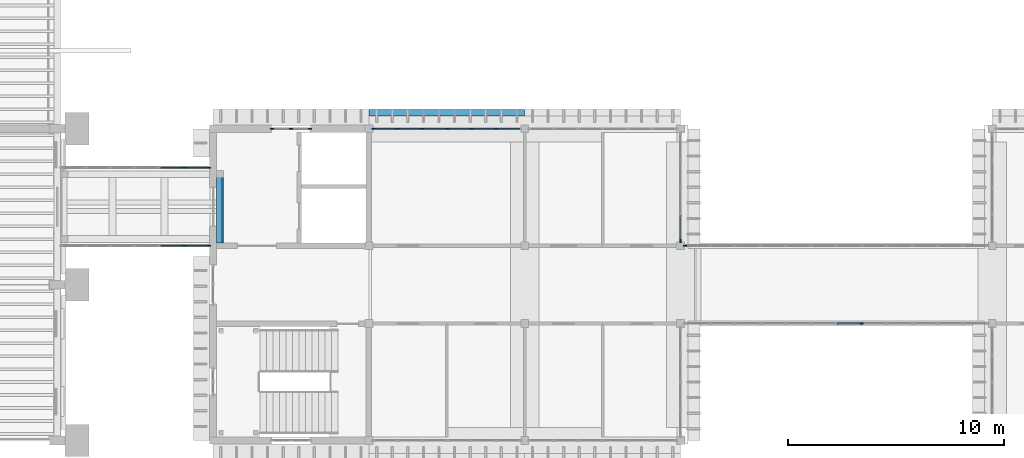
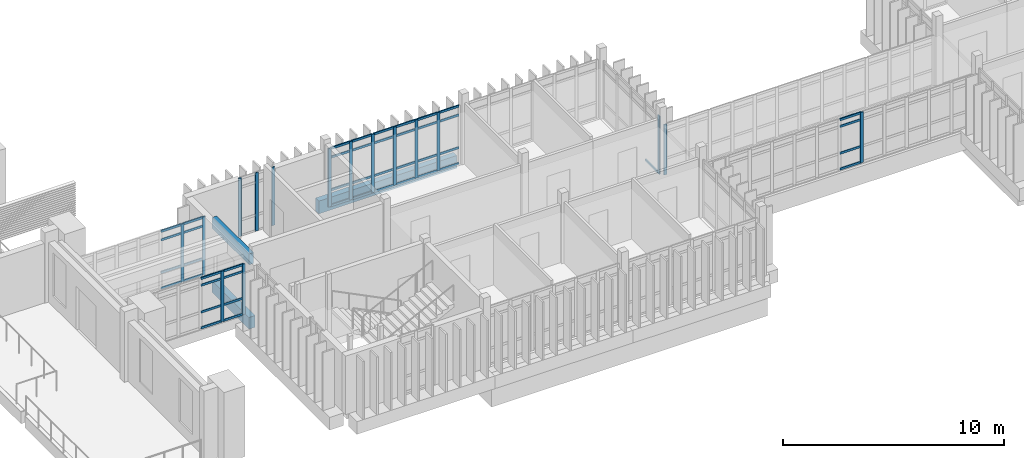
# One storey, part 13 of 69: 62 members, 2 beams, 7 elements without a shape of their own.
"""IFC4 building model written with IfcOpenShell, lengths in metres."""

from ifc_helpers import new_model, si_unit, direction, frame, origin, origin_2d, place, context, subcontext, project, spatial, rectangle, extrude, material, layer, layer_set, material_profile, profile_set, type_object, element, aggregate, save


model = new_model("IFC4")

# Units and contexts
model_context = context("Model", 3, precision=1e-05, world=origin(), true_north=direction((0.0, 1.0)))
body_context = subcontext(model_context, "Body", "Model", "MODEL_VIEW")
ifc_project = project(units=[si_unit("LENGTHUNIT", "METRE"), si_unit("AREAUNIT", "SQUARE_METRE"), si_unit("VOLUMEUNIT", "CUBIC_METRE"), si_unit("PLANEANGLEUNIT", "RADIAN"), si_unit("MASSUNIT", "GRAM", prefix="KILO")], contexts=[model_context])

# Site, building, storey
site_placement = place(None, origin())
site = spatial("IfcSite", under=ifc_project, at=site_placement, CompositionType="ELEMENT")
building_placement = place(site_placement, origin())
building = spatial("IfcBuilding", under=site, at=building_placement, Name="Mazhai Court Health Centre", CompositionType="ELEMENT")
storey_placement = place(building_placement, frame((0.0, 0.0, 6.300048828125)))
storey = spatial("IfcBuildingStorey", under=building, at=storey_placement, Name="L01", CompositionType="ELEMENT", Elevation=6.300048828125)

# Curtain wall, members
ifc_material_1 = material(Name="Teak timber frame, glazed", Category="wood")
ifc_layer_1 = layer(ifc_material_1, 0.10009765625)
ifc_layer_set_1 = layer_set([ifc_layer_1], Name="CURTAIN WALL TIMBER 900")
curtain_wall_type_1 = type_object("IfcCurtainWallType", Name="CURTAIN WALL TIMBER 900", PredefinedType="NOTDEFINED", material=ifc_layer_set_1)
curtain_wall_1_placement = place(storey_placement, origin())
curtain_wall_1 = element("IfcCurtainWall", 1, at=curtain_wall_1_placement, inside=storey, type_object=curtain_wall_type_1, Name="CW-V4-L01-B0", PredefinedType="NOTDEFINED")
ifc_material_2 = material(Name="Teak timber", Category="wood")
ifc_material_profile_1 = material_profile(ifc_material_2, rectangle(XDim=0.06005859375, YDim=0.159912109375, at=origin_2d()), Name="CW MULLION 60x160")
ifc_profile_set_1 = profile_set([ifc_material_profile_1], Name="Teak timber")
member_type_1 = type_object("IfcMemberType", Name="CW MULLION 60x160", PredefinedType="MULLION", material=ifc_profile_set_1)
member_1_placement = place(storey_placement, frame((73.72998046875, 27.800048828125, 0.0), z_axis=(0.0, 0.0, 1.0), x_axis=(0.0, 1.0, 0.0)))
member_1 = element("IfcMember", 2, at=member_1_placement, type_object=member_type_1, Name="CW mullion 1", PredefinedType="MULLION", context=body_context, shape_type="SweptSolid", body=[
    extrude(rectangle(XDim=0.06005859375, YDim=0.159912109375, at=origin_2d()), origin(), (0.0, 0.0, 1.0), 3.219970703125),
])
member_2_placement = place(storey_placement, frame((74.60009765625, 27.800048828125, 0.0), z_axis=(0.0, 0.0, 1.0), x_axis=(0.0, 1.0, 0.0)))
member_2 = element("IfcMember", 3, at=member_2_placement, type_object=member_type_1, Name="CW mullion 2", PredefinedType="MULLION", context=body_context, shape_type="SweptSolid", body=[
    extrude(rectangle(XDim=0.06005859375, YDim=0.159912109375, at=origin_2d()), origin(), (0.0, 0.0, 1.0), 3.219970703125),
])
member_3_placement = place(storey_placement, frame((75.469970703125, 27.800048828125, 0.0), z_axis=(0.0, 0.0, 1.0), x_axis=(0.0, 1.0, 0.0)))
member_3 = element("IfcMember", 4, at=member_3_placement, type_object=member_type_1, Name="CW mullion 3", PredefinedType="MULLION", context=body_context, shape_type="SweptSolid", body=[
    extrude(rectangle(XDim=0.06005859375, YDim=0.159912109375, at=origin_2d()), origin(), (0.0, 0.0, 1.0), 3.219970703125),
])
aggregate(curtain_wall_1, [member_1, member_2, member_3])

ifc_material_3 = material(Name="Teak timber frame, glazed", Category="wood")
ifc_layer_2 = layer(ifc_material_3, 0.10009765625)
ifc_layer_set_2 = layer_set([ifc_layer_2], Name="CURTAIN WALL TIMBER 1200")
curtain_wall_type_2 = type_object("IfcCurtainWallType", Name="CURTAIN WALL TIMBER 1200", PredefinedType="NOTDEFINED", material=ifc_layer_set_2)
curtain_wall_2_placement = place(storey_placement, origin())
curtain_wall_2 = element("IfcCurtainWall", 5, at=curtain_wall_2_placement, inside=storey, type_object=curtain_wall_type_2, Name="CW-V4-L01-B1", PredefinedType="NOTDEFINED")
member_4_placement = place(storey_placement, frame((78.409912109375, 27.800048828125, 0.0), z_axis=(0.0, 0.0, 1.0), x_axis=(0.0, 1.0, 0.0)))
member_4 = element("IfcMember", 6, at=member_4_placement, type_object=member_type_1, Name="CW mullion 1", PredefinedType="MULLION", context=body_context, shape_type="SweptSolid", body=[
    extrude(rectangle(XDim=0.06005859375, YDim=0.159912109375, at=origin_2d()), origin(), (0.0, 0.0, 1.0), 3.219970703125),
])
member_5_placement = place(storey_placement, frame((79.52001953125, 27.800048828125, 0.0), z_axis=(0.0, 0.0, 1.0), x_axis=(0.0, 1.0, 0.0)))
member_5 = element("IfcMember", 7, at=member_5_placement, type_object=member_type_1, Name="CW mullion 2", PredefinedType="MULLION", context=body_context, shape_type="SweptSolid", body=[
    extrude(rectangle(XDim=0.06005859375, YDim=0.159912109375, at=origin_2d()), origin(), (0.0, 0.0, 1.0), 3.219970703125),
])
member_6_placement = place(storey_placement, frame((80.659912109375, 27.800048828125, 0.0), z_axis=(0.0, 0.0, 1.0), x_axis=(0.0, 1.0, 0.0)))
member_6 = element("IfcMember", 8, at=member_6_placement, type_object=member_type_1, Name="CW mullion 3", PredefinedType="MULLION", context=body_context, shape_type="SweptSolid", body=[
    extrude(rectangle(XDim=0.06005859375, YDim=0.159912109375, at=origin_2d()), origin(), (0.0, 0.0, 1.0), 3.219970703125),
])
member_7_placement = place(storey_placement, frame((81.800048828125, 27.800048828125, 0.0), z_axis=(0.0, 0.0, 1.0), x_axis=(0.0, 1.0, 0.0)))
member_7 = element("IfcMember", 9, at=member_7_placement, type_object=member_type_1, Name="CW mullion 4", PredefinedType="MULLION", context=body_context, shape_type="SweptSolid", body=[
    extrude(rectangle(XDim=0.06005859375, YDim=0.159912109375, at=origin_2d()), origin(), (0.0, 0.0, 1.0), 3.219970703125),
])
member_8_placement = place(storey_placement, frame((82.93994140625, 27.800048828125, 0.0), z_axis=(0.0, 0.0, 1.0), x_axis=(0.0, 1.0, 0.0)))
member_8 = element("IfcMember", 10, at=member_8_placement, type_object=member_type_1, Name="CW mullion 5", PredefinedType="MULLION", context=body_context, shape_type="SweptSolid", body=[
    extrude(rectangle(XDim=0.06005859375, YDim=0.159912109375, at=origin_2d()), origin(), (0.0, 0.0, 1.0), 3.219970703125),
])
member_9_placement = place(storey_placement, frame((84.080078125, 27.800048828125, 0.0), z_axis=(0.0, 0.0, 1.0), x_axis=(0.0, 1.0, 0.0)))
member_9 = element("IfcMember", 11, at=member_9_placement, type_object=member_type_1, Name="CW mullion 6", PredefinedType="MULLION", context=body_context, shape_type="SweptSolid", body=[
    extrude(rectangle(XDim=0.06005859375, YDim=0.159912109375, at=origin_2d()), origin(), (0.0, 0.0, 1.0), 3.219970703125),
])

# Curtain wall, member
curtain_wall_3_placement = place(storey_placement, origin())
curtain_wall_3 = element("IfcCurtainWall", 12, at=curtain_wall_3_placement, inside=storey, type_object=curtain_wall_type_2, Name="CW-V4-L01-CE2-1", PredefinedType="NOTDEFINED")
member_10_placement = place(storey_placement, frame((92.60009765625, 22.610107421875, 0.0), z_axis=(0.0, 0.0, 1.0), x_axis=(1.0, 0.0, 0.0)))
member_10 = element("IfcMember", 13, at=member_10_placement, type_object=member_type_1, Name="CW mullion 5", PredefinedType="MULLION", context=body_context, shape_type="SweptSolid", body=[
    extrude(rectangle(XDim=0.06005859375, YDim=0.159912109375, at=origin_2d()), origin(), (0.0, 0.0, 1.0), 3.199951171875),
])

curtain_wall_4_placement = place(storey_placement, origin())
curtain_wall_4 = element("IfcCurtainWall", 14, at=curtain_wall_4_placement, inside=storey, type_object=curtain_wall_type_2, Name="CW-BR-LC1-S", PredefinedType="NOTDEFINED")
member_11_placement = place(storey_placement, frame((100.969970703125, 18.800048828125, 0.0), z_axis=(0.0, 0.0, 1.0), x_axis=(0.0, 1.0, 0.0)))
member_11 = element("IfcMember", 15, at=member_11_placement, type_object=member_type_1, Name="CW mullion 8", PredefinedType="MULLION", context=body_context, shape_type="SweptSolid", body=[
    extrude(rectangle(XDim=0.06005859375, YDim=0.159912109375, at=origin_2d()), origin(), (0.0, 0.0, 1.0), 2.780029296875),
])

curtain_wall_5_placement = place(storey_placement, origin())
curtain_wall_5 = element("IfcCurtainWall", 16, at=curtain_wall_5_placement, inside=storey, type_object=curtain_wall_type_2, Name="CW-BR-LC1-N", PredefinedType="NOTDEFINED")
member_12_placement = place(storey_placement, frame((92.81005859375, 22.39990234375, 0.0), z_axis=(0.0, 0.0, 1.0), x_axis=(0.0, 1.0, 0.0)))
member_12 = element("IfcMember", 17, at=member_12_placement, type_object=member_type_1, Name="CW mullion 1", PredefinedType="MULLION", context=body_context, shape_type="SweptSolid", body=[
    extrude(rectangle(XDim=0.06005859375, YDim=0.159912109375, at=origin_2d()), origin(), (0.0, 0.0, 1.0), 2.780029296875),
])
aggregate(curtain_wall_5, [member_12])

# Curtain wall, members
curtain_wall_6_placement = place(storey_placement, origin())
curtain_wall_6 = element("IfcCurtainWall", 18, at=curtain_wall_6_placement, inside=storey, type_object=curtain_wall_type_2, Name="CW-BR-P2-S", PredefinedType="NOTDEFINED")
member_13_placement = place(storey_placement, frame((69.68994140625, 22.39990234375, 0.0), z_axis=(0.0, 0.0, 1.0), x_axis=(0.0, 1.0, 0.0)))
member_13 = element("IfcMember", 19, at=member_13_placement, type_object=member_type_1, Name="CW mullion 6", PredefinedType="MULLION", context=body_context, shape_type="SweptSolid", body=[
    extrude(rectangle(XDim=0.06005859375, YDim=0.159912109375, at=origin_2d()), origin(), (0.0, 0.0, 1.0), 2.780029296875),
])
member_14_placement = place(storey_placement, frame((70.804931640625, 22.39990234375, 0.0), z_axis=(0.0, 0.0, 1.0), x_axis=(0.0, 1.0, 0.0)))
member_14 = element("IfcMember", 20, at=member_14_placement, type_object=member_type_1, Name="CW mullion 7", PredefinedType="MULLION", context=body_context, shape_type="SweptSolid", body=[
    extrude(rectangle(XDim=0.06005859375, YDim=0.159912109375, at=origin_2d()), origin(), (0.0, 0.0, 1.0), 2.780029296875),
])

curtain_wall_7_placement = place(storey_placement, origin())
curtain_wall_7 = element("IfcCurtainWall", 21, at=curtain_wall_7_placement, inside=storey, type_object=curtain_wall_type_2, Name="CW-BR-P2-N", PredefinedType="NOTDEFINED")
member_15_placement = place(storey_placement, frame((69.68994140625, 26.0, 0.0), z_axis=(0.0, 0.0, 1.0), x_axis=(0.0, 1.0, 0.0)))
member_15 = element("IfcMember", 22, at=member_15_placement, type_object=member_type_1, Name="CW mullion 6", PredefinedType="MULLION", context=body_context, shape_type="SweptSolid", body=[
    extrude(rectangle(XDim=0.06005859375, YDim=0.159912109375, at=origin_2d()), origin(), (0.0, 0.0, 1.0), 3.199951171875),
])
member_16_placement = place(storey_placement, frame((70.804931640625, 26.0, 0.0), z_axis=(0.0, 0.0, 1.0), x_axis=(0.0, 1.0, 0.0)))
member_16 = element("IfcMember", 23, at=member_16_placement, type_object=member_type_1, Name="CW mullion 7", PredefinedType="MULLION", context=body_context, shape_type="SweptSolid", body=[
    extrude(rectangle(XDim=0.06005859375, YDim=0.159912109375, at=origin_2d()), origin(), (0.0, 0.0, 1.0), 3.199951171875),
])

# Member
ifc_material_4 = material(Name="Teak timber", Category="wood")
ifc_material_profile_2 = material_profile(ifc_material_4, rectangle(XDim=0.06005859375, YDim=0.1201171875, at=origin_2d()), Name="CW TRANSOM 60x120")
ifc_profile_set_2 = profile_set([ifc_material_profile_2], Name="Teak timber")
member_type_2 = type_object("IfcMemberType", Name="CW TRANSOM 60x120", PredefinedType="USERDEFINED", material=ifc_profile_set_2)
member_17_placement = place(storey_placement, frame((78.43994140625, 27.800048828125, 0.030029296875), z_axis=(1.0, 0.0, 0.0), x_axis=(0.0, 1.0, 0.0)))
member_17 = element("IfcMember", 24, at=member_17_placement, type_object=member_type_2, Name="CW transom 1.1", ObjectType="TRANSOM", PredefinedType="USERDEFINED", context=body_context, shape_type="SweptSolid", body=[
    extrude(rectangle(XDim=0.06005859375, YDim=0.1201171875, at=origin_2d()), origin(), (0.0, 0.0, 1.0), 1.050048828125),
])

member_18_placement = place(storey_placement, frame((78.43994140625, 27.800048828125, 0.89990234375), z_axis=(1.0, 0.0, 0.0), x_axis=(0.0, 1.0, 0.0)))
member_18 = element("IfcMember", 25, at=member_18_placement, type_object=member_type_2, Name="CW transom 1.2", ObjectType="TRANSOM", PredefinedType="USERDEFINED", context=body_context, shape_type="SweptSolid", body=[
    extrude(rectangle(XDim=0.06005859375, YDim=0.1201171875, at=origin_2d()), origin(), (0.0, 0.0, 1.0), 1.050048828125),
])

member_19_placement = place(storey_placement, frame((78.43994140625, 27.800048828125, 2.699951171875), z_axis=(1.0, 0.0, 0.0), x_axis=(0.0, 1.0, 0.0)))
member_19 = element("IfcMember", 26, at=member_19_placement, type_object=member_type_2, Name="CW transom 1.3", ObjectType="TRANSOM", PredefinedType="USERDEFINED", context=body_context, shape_type="SweptSolid", body=[
    extrude(rectangle(XDim=0.06005859375, YDim=0.1201171875, at=origin_2d()), origin(), (0.0, 0.0, 1.0), 1.050048828125),
])

member_20_placement = place(storey_placement, frame((78.43994140625, 27.800048828125, 3.18994140625), z_axis=(1.0, 0.0, 0.0), x_axis=(0.0, 1.0, 0.0)))
member_20 = element("IfcMember", 27, at=member_20_placement, type_object=member_type_2, Name="CW transom 1.4", ObjectType="TRANSOM", PredefinedType="USERDEFINED", context=body_context, shape_type="SweptSolid", body=[
    extrude(rectangle(XDim=0.06005859375, YDim=0.1201171875, at=origin_2d()), origin(), (0.0, 0.0, 1.0), 1.050048828125),
])

member_21_placement = place(storey_placement, frame((79.550048828125, 27.800048828125, 0.030029296875), z_axis=(1.0, 0.0, 0.0), x_axis=(0.0, 1.0, 0.0)))
member_21 = element("IfcMember", 28, at=member_21_placement, type_object=member_type_2, Name="CW transom 2.1", ObjectType="TRANSOM", PredefinedType="USERDEFINED", context=body_context, shape_type="SweptSolid", body=[
    extrude(rectangle(XDim=0.06005859375, YDim=0.1201171875, at=origin_2d()), origin(), (0.0, 0.0, 1.0), 1.079833984375),
])

member_22_placement = place(storey_placement, frame((79.550048828125, 27.800048828125, 0.89990234375), z_axis=(1.0, 0.0, 0.0), x_axis=(0.0, 1.0, 0.0)))
member_22 = element("IfcMember", 29, at=member_22_placement, type_object=member_type_2, Name="CW transom 2.2", ObjectType="TRANSOM", PredefinedType="USERDEFINED", context=body_context, shape_type="SweptSolid", body=[
    extrude(rectangle(XDim=0.06005859375, YDim=0.1201171875, at=origin_2d()), origin(), (0.0, 0.0, 1.0), 1.079833984375),
])

member_23_placement = place(storey_placement, frame((79.550048828125, 27.800048828125, 2.699951171875), z_axis=(1.0, 0.0, 0.0), x_axis=(0.0, 1.0, 0.0)))
member_23 = element("IfcMember", 30, at=member_23_placement, type_object=member_type_2, Name="CW transom 2.3", ObjectType="TRANSOM", PredefinedType="USERDEFINED", context=body_context, shape_type="SweptSolid", body=[
    extrude(rectangle(XDim=0.06005859375, YDim=0.1201171875, at=origin_2d()), origin(), (0.0, 0.0, 1.0), 1.079833984375),
])

member_24_placement = place(storey_placement, frame((79.550048828125, 27.800048828125, 3.18994140625), z_axis=(1.0, 0.0, 0.0), x_axis=(0.0, 1.0, 0.0)))
member_24 = element("IfcMember", 31, at=member_24_placement, type_object=member_type_2, Name="CW transom 2.4", ObjectType="TRANSOM", PredefinedType="USERDEFINED", context=body_context, shape_type="SweptSolid", body=[
    extrude(rectangle(XDim=0.06005859375, YDim=0.1201171875, at=origin_2d()), origin(), (0.0, 0.0, 1.0), 1.079833984375),
])

member_25_placement = place(storey_placement, frame((80.68994140625, 27.800048828125, 0.030029296875), z_axis=(1.0, 0.0, 0.0), x_axis=(0.0, 1.0, 0.0)))
member_25 = element("IfcMember", 32, at=member_25_placement, type_object=member_type_2, Name="CW transom 3.1", ObjectType="TRANSOM", PredefinedType="USERDEFINED", context=body_context, shape_type="SweptSolid", body=[
    extrude(rectangle(XDim=0.06005859375, YDim=0.1201171875, at=origin_2d()), origin(), (0.0, 0.0, 1.0), 1.080078125),
])

member_26_placement = place(storey_placement, frame((80.68994140625, 27.800048828125, 0.89990234375), z_axis=(1.0, 0.0, 0.0), x_axis=(0.0, 1.0, 0.0)))
member_26 = element("IfcMember", 33, at=member_26_placement, type_object=member_type_2, Name="CW transom 3.2", ObjectType="TRANSOM", PredefinedType="USERDEFINED", context=body_context, shape_type="SweptSolid", body=[
    extrude(rectangle(XDim=0.06005859375, YDim=0.1201171875, at=origin_2d()), origin(), (0.0, 0.0, 1.0), 1.080078125),
])

member_27_placement = place(storey_placement, frame((80.68994140625, 27.800048828125, 2.699951171875), z_axis=(1.0, 0.0, 0.0), x_axis=(0.0, 1.0, 0.0)))
member_27 = element("IfcMember", 34, at=member_27_placement, type_object=member_type_2, Name="CW transom 3.3", ObjectType="TRANSOM", PredefinedType="USERDEFINED", context=body_context, shape_type="SweptSolid", body=[
    extrude(rectangle(XDim=0.06005859375, YDim=0.1201171875, at=origin_2d()), origin(), (0.0, 0.0, 1.0), 1.080078125),
])

member_28_placement = place(storey_placement, frame((80.68994140625, 27.800048828125, 3.18994140625), z_axis=(1.0, 0.0, 0.0), x_axis=(0.0, 1.0, 0.0)))
member_28 = element("IfcMember", 35, at=member_28_placement, type_object=member_type_2, Name="CW transom 3.4", ObjectType="TRANSOM", PredefinedType="USERDEFINED", context=body_context, shape_type="SweptSolid", body=[
    extrude(rectangle(XDim=0.06005859375, YDim=0.1201171875, at=origin_2d()), origin(), (0.0, 0.0, 1.0), 1.080078125),
])

member_29_placement = place(storey_placement, frame((81.830078125, 27.800048828125, 0.030029296875), z_axis=(1.0, 0.0, 0.0), x_axis=(0.0, 1.0, 0.0)))
member_29 = element("IfcMember", 36, at=member_29_placement, type_object=member_type_2, Name="CW transom 4.1", ObjectType="TRANSOM", PredefinedType="USERDEFINED", context=body_context, shape_type="SweptSolid", body=[
    extrude(rectangle(XDim=0.06005859375, YDim=0.1201171875, at=origin_2d()), origin(), (0.0, 0.0, 1.0), 1.079833984375),
])

member_30_placement = place(storey_placement, frame((81.830078125, 27.800048828125, 0.89990234375), z_axis=(1.0, 0.0, 0.0), x_axis=(0.0, 1.0, 0.0)))
member_30 = element("IfcMember", 37, at=member_30_placement, type_object=member_type_2, Name="CW transom 4.2", ObjectType="TRANSOM", PredefinedType="USERDEFINED", context=body_context, shape_type="SweptSolid", body=[
    extrude(rectangle(XDim=0.06005859375, YDim=0.1201171875, at=origin_2d()), origin(), (0.0, 0.0, 1.0), 1.079833984375),
])

member_31_placement = place(storey_placement, frame((81.830078125, 27.800048828125, 2.699951171875), z_axis=(1.0, 0.0, 0.0), x_axis=(0.0, 1.0, 0.0)))
member_31 = element("IfcMember", 38, at=member_31_placement, type_object=member_type_2, Name="CW transom 4.3", ObjectType="TRANSOM", PredefinedType="USERDEFINED", context=body_context, shape_type="SweptSolid", body=[
    extrude(rectangle(XDim=0.06005859375, YDim=0.1201171875, at=origin_2d()), origin(), (0.0, 0.0, 1.0), 1.079833984375),
])

member_32_placement = place(storey_placement, frame((81.830078125, 27.800048828125, 3.18994140625), z_axis=(1.0, 0.0, 0.0), x_axis=(0.0, 1.0, 0.0)))
member_32 = element("IfcMember", 39, at=member_32_placement, type_object=member_type_2, Name="CW transom 4.4", ObjectType="TRANSOM", PredefinedType="USERDEFINED", context=body_context, shape_type="SweptSolid", body=[
    extrude(rectangle(XDim=0.06005859375, YDim=0.1201171875, at=origin_2d()), origin(), (0.0, 0.0, 1.0), 1.079833984375),
])

member_33_placement = place(storey_placement, frame((82.969970703125, 27.800048828125, 0.030029296875), z_axis=(1.0, 0.0, 0.0), x_axis=(0.0, 1.0, 0.0)))
member_33 = element("IfcMember", 40, at=member_33_placement, type_object=member_type_2, Name="CW transom 5.1", ObjectType="TRANSOM", PredefinedType="USERDEFINED", context=body_context, shape_type="SweptSolid", body=[
    extrude(rectangle(XDim=0.06005859375, YDim=0.1201171875, at=origin_2d()), origin(), (0.0, 0.0, 1.0), 1.080078125),
])

member_34_placement = place(storey_placement, frame((82.969970703125, 27.800048828125, 0.89990234375), z_axis=(1.0, 0.0, 0.0), x_axis=(0.0, 1.0, 0.0)))
member_34 = element("IfcMember", 41, at=member_34_placement, type_object=member_type_2, Name="CW transom 5.2", ObjectType="TRANSOM", PredefinedType="USERDEFINED", context=body_context, shape_type="SweptSolid", body=[
    extrude(rectangle(XDim=0.06005859375, YDim=0.1201171875, at=origin_2d()), origin(), (0.0, 0.0, 1.0), 1.080078125),
])

member_35_placement = place(storey_placement, frame((82.969970703125, 27.800048828125, 2.699951171875), z_axis=(1.0, 0.0, 0.0), x_axis=(0.0, 1.0, 0.0)))
member_35 = element("IfcMember", 42, at=member_35_placement, type_object=member_type_2, Name="CW transom 5.3", ObjectType="TRANSOM", PredefinedType="USERDEFINED", context=body_context, shape_type="SweptSolid", body=[
    extrude(rectangle(XDim=0.06005859375, YDim=0.1201171875, at=origin_2d()), origin(), (0.0, 0.0, 1.0), 1.080078125),
])

member_36_placement = place(storey_placement, frame((82.969970703125, 27.800048828125, 3.18994140625), z_axis=(1.0, 0.0, 0.0), x_axis=(0.0, 1.0, 0.0)))
member_36 = element("IfcMember", 43, at=member_36_placement, type_object=member_type_2, Name="CW transom 5.4", ObjectType="TRANSOM", PredefinedType="USERDEFINED", context=body_context, shape_type="SweptSolid", body=[
    extrude(rectangle(XDim=0.06005859375, YDim=0.1201171875, at=origin_2d()), origin(), (0.0, 0.0, 1.0), 1.080078125),
])

member_37_placement = place(storey_placement, frame((84.110107421875, 27.800048828125, 0.030029296875), z_axis=(1.0, 0.0, 0.0), x_axis=(0.0, 1.0, 0.0)))
member_37 = element("IfcMember", 44, at=member_37_placement, type_object=member_type_2, Name="CW transom 6.1", ObjectType="TRANSOM", PredefinedType="USERDEFINED", context=body_context, shape_type="SweptSolid", body=[
    extrude(rectangle(XDim=0.06005859375, YDim=0.1201171875, at=origin_2d()), origin(), (0.0, 0.0, 1.0), 1.0498046875),
])

member_38_placement = place(storey_placement, frame((84.110107421875, 27.800048828125, 0.89990234375), z_axis=(1.0, 0.0, 0.0), x_axis=(0.0, 1.0, 0.0)))
member_38 = element("IfcMember", 45, at=member_38_placement, type_object=member_type_2, Name="CW transom 6.2", ObjectType="TRANSOM", PredefinedType="USERDEFINED", context=body_context, shape_type="SweptSolid", body=[
    extrude(rectangle(XDim=0.06005859375, YDim=0.1201171875, at=origin_2d()), origin(), (0.0, 0.0, 1.0), 1.0498046875),
])

member_39_placement = place(storey_placement, frame((84.110107421875, 27.800048828125, 2.699951171875), z_axis=(1.0, 0.0, 0.0), x_axis=(0.0, 1.0, 0.0)))
member_39 = element("IfcMember", 46, at=member_39_placement, type_object=member_type_2, Name="CW transom 6.3", ObjectType="TRANSOM", PredefinedType="USERDEFINED", context=body_context, shape_type="SweptSolid", body=[
    extrude(rectangle(XDim=0.06005859375, YDim=0.1201171875, at=origin_2d()), origin(), (0.0, 0.0, 1.0), 1.0498046875),
])

member_40_placement = place(storey_placement, frame((84.110107421875, 27.800048828125, 3.18994140625), z_axis=(1.0, 0.0, 0.0), x_axis=(0.0, 1.0, 0.0)))
member_40 = element("IfcMember", 47, at=member_40_placement, type_object=member_type_2, Name="CW transom 6.4", ObjectType="TRANSOM", PredefinedType="USERDEFINED", context=body_context, shape_type="SweptSolid", body=[
    extrude(rectangle(XDim=0.06005859375, YDim=0.1201171875, at=origin_2d()), origin(), (0.0, 0.0, 1.0), 1.0498046875),
])

aggregate(curtain_wall_2, [member_4, member_5, member_6, member_7, member_8, member_9, member_17, member_18, member_19, member_20, member_21, member_22, member_23, member_24, member_25, member_26, member_27, member_28, member_29, member_30, member_31, member_32, member_33, member_34, member_35, member_36, member_37, member_38, member_39, member_40])

member_41_placement = place(storey_placement, frame((92.60009765625, 23.81005859375, 0.030029296875), z_axis=(0.0, -1.0, 0.0), x_axis=(1.0, 0.0, 0.0)))
member_41 = element("IfcMember", 48, at=member_41_placement, type_object=member_type_2, Name="CW transom 4.1", ObjectType="TRANSOM", PredefinedType="USERDEFINED", context=body_context, shape_type="SweptSolid", body=[
    extrude(rectangle(XDim=0.06005859375, YDim=0.1201171875, at=origin_2d()), origin(), (0.0, 0.0, 1.0), 1.170166015625),
])

aggregate(curtain_wall_3, [member_10, member_41])

member_42_placement = place(storey_placement, frame((99.830078125, 18.800048828125, 0.030029296875), z_axis=(1.0, 0.0, 0.0), x_axis=(0.0, 1.0, 0.0)))
member_42 = element("IfcMember", 49, at=member_42_placement, type_object=member_type_2, Name="CW transom 7.1", ObjectType="TRANSOM", PredefinedType="USERDEFINED", context=body_context, shape_type="SweptSolid", body=[
    extrude(rectangle(XDim=0.06005859375, YDim=0.1201171875, at=origin_2d()), origin(), (0.0, 0.0, 1.0), 1.10986328125),
])

member_43_placement = place(storey_placement, frame((99.830078125, 18.800048828125, 0.89990234375), z_axis=(1.0, 0.0, 0.0), x_axis=(0.0, 1.0, 0.0)))
member_43 = element("IfcMember", 50, at=member_43_placement, type_object=member_type_2, Name="CW transom 7.2", ObjectType="TRANSOM", PredefinedType="USERDEFINED", context=body_context, shape_type="SweptSolid", body=[
    extrude(rectangle(XDim=0.06005859375, YDim=0.1201171875, at=origin_2d()), origin(), (0.0, 0.0, 1.0), 1.10986328125),
])

member_44_placement = place(storey_placement, frame((99.830078125, 18.800048828125, 2.3798828125), z_axis=(1.0, 0.0, 0.0), x_axis=(0.0, 1.0, 0.0)))
member_44 = element("IfcMember", 51, at=member_44_placement, type_object=member_type_2, Name="CW transom 7.3", ObjectType="TRANSOM", PredefinedType="USERDEFINED", context=body_context, shape_type="SweptSolid", body=[
    extrude(rectangle(XDim=0.06005859375, YDim=0.1201171875, at=origin_2d()), origin(), (0.0, 0.0, 1.0), 1.10986328125),
])

member_45_placement = place(storey_placement, frame((99.830078125, 18.800048828125, 2.75), z_axis=(1.0, 0.0, 0.0), x_axis=(0.0, 1.0, 0.0)))
member_45 = element("IfcMember", 52, at=member_45_placement, type_object=member_type_2, Name="CW transom 7.4", ObjectType="TRANSOM", PredefinedType="USERDEFINED", context=body_context, shape_type="SweptSolid", body=[
    extrude(rectangle(XDim=0.06005859375, YDim=0.1201171875, at=origin_2d()), origin(), (0.0, 0.0, 1.0), 1.10986328125),
])

aggregate(curtain_wall_4, [member_11, member_42, member_43, member_44, member_45])

member_46_placement = place(storey_placement, frame((68.574951171875, 22.39990234375, 0.030029296875), z_axis=(1.0, 0.0, 0.0), x_axis=(0.0, 1.0, 0.0)))
member_46 = element("IfcMember", 53, at=member_46_placement, type_object=member_type_2, Name="CW transom 5.1", ObjectType="TRANSOM", PredefinedType="USERDEFINED", context=body_context, shape_type="SweptSolid", body=[
    extrude(rectangle(XDim=0.06005859375, YDim=0.1201171875, at=origin_2d()), origin(), (0.0, 0.0, 1.0), 1.0849609375),
])

member_47_placement = place(storey_placement, frame((68.574951171875, 22.39990234375, 0.89990234375), z_axis=(1.0, 0.0, 0.0), x_axis=(0.0, 1.0, 0.0)))
member_47 = element("IfcMember", 54, at=member_47_placement, type_object=member_type_2, Name="CW transom 5.2", ObjectType="TRANSOM", PredefinedType="USERDEFINED", context=body_context, shape_type="SweptSolid", body=[
    extrude(rectangle(XDim=0.06005859375, YDim=0.1201171875, at=origin_2d()), origin(), (0.0, 0.0, 1.0), 1.0849609375),
])

member_48_placement = place(storey_placement, frame((68.574951171875, 22.39990234375, 2.3798828125), z_axis=(1.0, 0.0, 0.0), x_axis=(0.0, 1.0, 0.0)))
member_48 = element("IfcMember", 55, at=member_48_placement, type_object=member_type_2, Name="CW transom 5.3", ObjectType="TRANSOM", PredefinedType="USERDEFINED", context=body_context, shape_type="SweptSolid", body=[
    extrude(rectangle(XDim=0.06005859375, YDim=0.1201171875, at=origin_2d()), origin(), (0.0, 0.0, 1.0), 1.0849609375),
])

member_49_placement = place(storey_placement, frame((68.574951171875, 22.39990234375, 2.75), z_axis=(1.0, 0.0, 0.0), x_axis=(0.0, 1.0, 0.0)))
member_49 = element("IfcMember", 56, at=member_49_placement, type_object=member_type_2, Name="CW transom 5.4", ObjectType="TRANSOM", PredefinedType="USERDEFINED", context=body_context, shape_type="SweptSolid", body=[
    extrude(rectangle(XDim=0.06005859375, YDim=0.1201171875, at=origin_2d()), origin(), (0.0, 0.0, 1.0), 1.0849609375),
])

member_50_placement = place(storey_placement, frame((69.719970703125, 22.39990234375, 0.030029296875), z_axis=(1.0, 0.0, 0.0), x_axis=(0.0, 1.0, 0.0)))
member_50 = element("IfcMember", 57, at=member_50_placement, type_object=member_type_2, Name="CW transom 6.1", ObjectType="TRANSOM", PredefinedType="USERDEFINED", context=body_context, shape_type="SweptSolid", body=[
    extrude(rectangle(XDim=0.06005859375, YDim=0.1201171875, at=origin_2d()), origin(), (0.0, 0.0, 1.0), 1.054931640625),
])

member_51_placement = place(storey_placement, frame((69.719970703125, 22.39990234375, 0.89990234375), z_axis=(1.0, 0.0, 0.0), x_axis=(0.0, 1.0, 0.0)))
member_51 = element("IfcMember", 58, at=member_51_placement, type_object=member_type_2, Name="CW transom 6.2", ObjectType="TRANSOM", PredefinedType="USERDEFINED", context=body_context, shape_type="SweptSolid", body=[
    extrude(rectangle(XDim=0.06005859375, YDim=0.1201171875, at=origin_2d()), origin(), (0.0, 0.0, 1.0), 1.054931640625),
])

member_52_placement = place(storey_placement, frame((69.719970703125, 22.39990234375, 2.3798828125), z_axis=(1.0, 0.0, 0.0), x_axis=(0.0, 1.0, 0.0)))
member_52 = element("IfcMember", 59, at=member_52_placement, type_object=member_type_2, Name="CW transom 6.3", ObjectType="TRANSOM", PredefinedType="USERDEFINED", context=body_context, shape_type="SweptSolid", body=[
    extrude(rectangle(XDim=0.06005859375, YDim=0.1201171875, at=origin_2d()), origin(), (0.0, 0.0, 1.0), 1.054931640625),
])

member_53_placement = place(storey_placement, frame((69.719970703125, 22.39990234375, 2.75), z_axis=(1.0, 0.0, 0.0), x_axis=(0.0, 1.0, 0.0)))
member_53 = element("IfcMember", 60, at=member_53_placement, type_object=member_type_2, Name="CW transom 6.4", ObjectType="TRANSOM", PredefinedType="USERDEFINED", context=body_context, shape_type="SweptSolid", body=[
    extrude(rectangle(XDim=0.06005859375, YDim=0.1201171875, at=origin_2d()), origin(), (0.0, 0.0, 1.0), 1.054931640625),
])

aggregate(curtain_wall_6, [member_13, member_14, member_46, member_47, member_48, member_49, member_50, member_51, member_52, member_53])

member_54_placement = place(storey_placement, frame((68.574951171875, 26.0, 0.030029296875), z_axis=(1.0, 0.0, 0.0), x_axis=(0.0, 1.0, 0.0)))
member_54 = element("IfcMember", 61, at=member_54_placement, type_object=member_type_2, Name="CW transom 5.1", ObjectType="TRANSOM", PredefinedType="USERDEFINED", context=body_context, shape_type="SweptSolid", body=[
    extrude(rectangle(XDim=0.06005859375, YDim=0.1201171875, at=origin_2d()), origin(), (0.0, 0.0, 1.0), 1.0849609375),
])

member_55_placement = place(storey_placement, frame((68.574951171875, 26.0, 0.89990234375), z_axis=(1.0, 0.0, 0.0), x_axis=(0.0, 1.0, 0.0)))
member_55 = element("IfcMember", 62, at=member_55_placement, type_object=member_type_2, Name="CW transom 5.2", ObjectType="TRANSOM", PredefinedType="USERDEFINED", context=body_context, shape_type="SweptSolid", body=[
    extrude(rectangle(XDim=0.06005859375, YDim=0.1201171875, at=origin_2d()), origin(), (0.0, 0.0, 1.0), 1.0849609375),
])

member_56_placement = place(storey_placement, frame((68.574951171875, 26.0, 2.699951171875), z_axis=(1.0, 0.0, 0.0), x_axis=(0.0, 1.0, 0.0)))
member_56 = element("IfcMember", 63, at=member_56_placement, type_object=member_type_2, Name="CW transom 5.3", ObjectType="TRANSOM", PredefinedType="USERDEFINED", context=body_context, shape_type="SweptSolid", body=[
    extrude(rectangle(XDim=0.06005859375, YDim=0.1201171875, at=origin_2d()), origin(), (0.0, 0.0, 1.0), 1.0849609375),
])

member_57_placement = place(storey_placement, frame((68.574951171875, 26.0, 3.169921875), z_axis=(1.0, 0.0, 0.0), x_axis=(0.0, 1.0, 0.0)))
member_57 = element("IfcMember", 64, at=member_57_placement, type_object=member_type_2, Name="CW transom 5.4", ObjectType="TRANSOM", PredefinedType="USERDEFINED", context=body_context, shape_type="SweptSolid", body=[
    extrude(rectangle(XDim=0.06005859375, YDim=0.1201171875, at=origin_2d()), origin(), (0.0, 0.0, 1.0), 1.0849609375),
])

member_58_placement = place(storey_placement, frame((69.719970703125, 26.0, 0.030029296875), z_axis=(1.0, 0.0, 0.0), x_axis=(0.0, 1.0, 0.0)))
member_58 = element("IfcMember", 65, at=member_58_placement, type_object=member_type_2, Name="CW transom 6.1", ObjectType="TRANSOM", PredefinedType="USERDEFINED", context=body_context, shape_type="SweptSolid", body=[
    extrude(rectangle(XDim=0.06005859375, YDim=0.1201171875, at=origin_2d()), origin(), (0.0, 0.0, 1.0), 1.054931640625),
])

member_59_placement = place(storey_placement, frame((69.719970703125, 26.0, 0.89990234375), z_axis=(1.0, 0.0, 0.0), x_axis=(0.0, 1.0, 0.0)))
member_59 = element("IfcMember", 66, at=member_59_placement, type_object=member_type_2, Name="CW transom 6.2", ObjectType="TRANSOM", PredefinedType="USERDEFINED", context=body_context, shape_type="SweptSolid", body=[
    extrude(rectangle(XDim=0.06005859375, YDim=0.1201171875, at=origin_2d()), origin(), (0.0, 0.0, 1.0), 1.054931640625),
])

member_60_placement = place(storey_placement, frame((69.719970703125, 26.0, 2.699951171875), z_axis=(1.0, 0.0, 0.0), x_axis=(0.0, 1.0, 0.0)))
member_60 = element("IfcMember", 67, at=member_60_placement, type_object=member_type_2, Name="CW transom 6.3", ObjectType="TRANSOM", PredefinedType="USERDEFINED", context=body_context, shape_type="SweptSolid", body=[
    extrude(rectangle(XDim=0.06005859375, YDim=0.1201171875, at=origin_2d()), origin(), (0.0, 0.0, 1.0), 1.054931640625),
])

member_61_placement = place(storey_placement, frame((69.719970703125, 26.0, 3.169921875), z_axis=(1.0, 0.0, 0.0), x_axis=(0.0, 1.0, 0.0)))
member_61 = element("IfcMember", 68, at=member_61_placement, type_object=member_type_2, Name="CW transom 6.4", ObjectType="TRANSOM", PredefinedType="USERDEFINED", context=body_context, shape_type="SweptSolid", body=[
    extrude(rectangle(XDim=0.06005859375, YDim=0.1201171875, at=origin_2d()), origin(), (0.0, 0.0, 1.0), 1.054931640625),
])

aggregate(curtain_wall_7, [member_15, member_16, member_54, member_55, member_56, member_57, member_58, member_59, member_60, member_61])

ifc_material_5 = material(Name="Glulam GL24h", Category="wood")
ifc_material_profile_3 = material_profile(ifc_material_5, rectangle(XDim=0.300048828125, YDim=0.699951171875, at=origin_2d()), Name="FIN RAIL 300x700")
ifc_profile_set_3 = profile_set([ifc_material_profile_3], Name="Glulam GL24h")
member_type_3 = type_object("IfcMemberType", Name="FIN RAIL 300x700", PredefinedType="USERDEFINED", material=ifc_profile_set_3)
member_62_placement = place(storey_placement, frame((78.199951171875, 28.550048828125, -0.35009765625), z_axis=(1.0, 0.0, 0.0), x_axis=(0.0, 1.0, 0.0)))
element("IfcMember", 69, at=member_62_placement, inside=storey, type_object=member_type_3, Name="FR-V4-B1-L01", ObjectType="FIN RAIL", PredefinedType="USERDEFINED", context=body_context, shape_type="SweptSolid", body=[
    extrude(rectangle(XDim=0.300048828125, YDim=0.699951171875, at=origin_2d()), origin(), (0.0, 0.0, 1.0), 7.199951171875),
])

# Beams
ifc_material_6 = material(Name="Glulam GL28h", Category="wood")
ifc_material_profile_4 = material_profile(ifc_material_6, rectangle(XDim=0.239990234375, YDim=0.60009765625, at=origin_2d()), Name="GL28h 240x600")
ifc_profile_set_4 = profile_set([ifc_material_profile_4], Name="Glulam GL28h")
beam_type_1 = type_object("IfcBeamType", Name="GL28h 240x600 header", PredefinedType="BEAM", material=ifc_profile_set_4)
beam_1_placement = place(storey_placement, frame((71.2900390625, 22.530029296875, 2.804931640625), z_axis=(0.0, 1.0, 0.0), x_axis=(-1.0, 0.0, 0.0)))
element("IfcBeam", 70, at=beam_1_placement, inside=storey, type_object=beam_type_1, Name="header-BR-P2-roof", PredefinedType="BEAM", context=body_context, shape_type="SweptSolid", body=[
    extrude(rectangle(XDim=0.239990234375, YDim=0.60009765625, at=origin_2d()), origin(), (0.0, 0.0, 1.0), 3.340087890625),
])
ifc_material_7 = material(Name="Glulam GL28h", Category="wood")
ifc_material_profile_5 = material_profile(ifc_material_7, rectangle(XDim=0.320068359375, YDim=0.639892578125, at=origin_2d()), Name="GL28h 320x640")
ifc_profile_set_5 = profile_set([ifc_material_profile_5], Name="Glulam GL28h")
beam_type_2 = type_object("IfcBeamType", Name="GL28h 320x640 header", PredefinedType="BEAM", material=ifc_profile_set_5)
beam_2_placement = place(storey_placement, frame((71.330078125, 22.530029296875, -0.719970703125), z_axis=(0.0, 1.0, 0.0), x_axis=(-1.0, 0.0, 0.0)))
element("IfcBeam", 71, at=beam_2_placement, inside=storey, type_object=beam_type_2, Name="header-BR-P2-floor", PredefinedType="BEAM", context=body_context, shape_type="SweptSolid", body=[
    extrude(rectangle(XDim=0.320068359375, YDim=0.639892578125, at=origin_2d()), origin(), (0.0, 0.0, 1.0), 3.340087890625),
])

save(model, "model.ifc")
